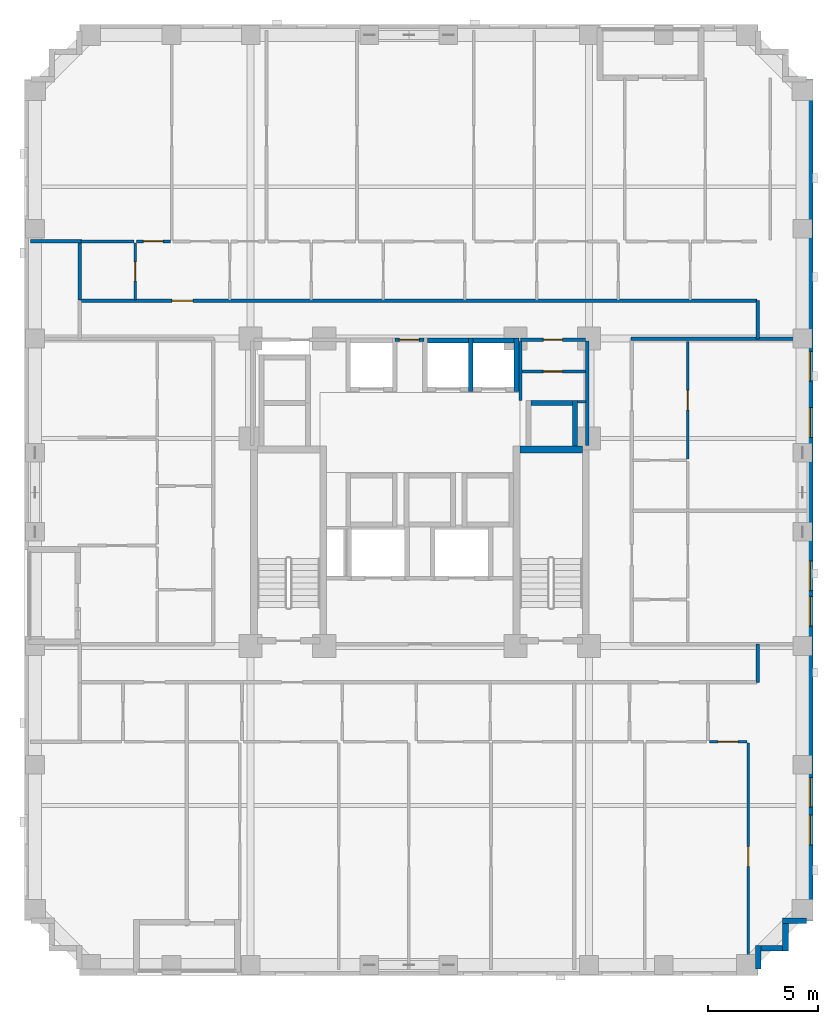
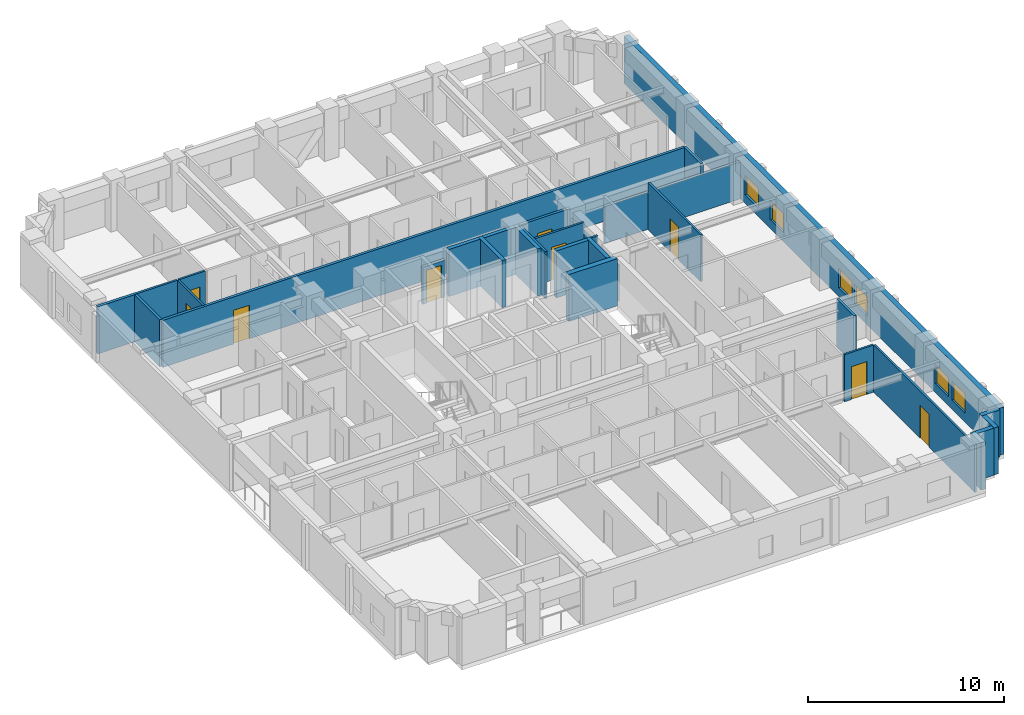
# One storey, part 6 of 12: 30 walls, 9 doors, 6 windows, 15 openings.
"""IFC4 building model written with IfcOpenShell, lengths in metres."""

from ifc_helpers import new_model, si_unit, derived_unit, direction, frame, frame_2d, origin, place, context, subcontext, project, spatial, rectangle, extrude, material, layer, layer_set, type_object, element, fill, save


model = new_model("IFC4")

# Units and contexts
model_context = context("Model", 3, precision=1e-05, world=origin(), true_north=direction((0.0, 1.0)))
body_context = subcontext(model_context, "Body", "Model", "MODEL_VIEW")
ifc_project = project(units=[si_unit("LENGTHUNIT", "METRE"), si_unit("AREAUNIT", "SQUARE_METRE"), si_unit("VOLUMEUNIT", "CUBIC_METRE"), si_unit("PLANEANGLEUNIT", "RADIAN"), si_unit("MASSUNIT", "GRAM", prefix="KILO"), derived_unit("THERMALTRANSMITTANCEUNIT", [(si_unit("MASSUNIT", "GRAM", prefix="KILO"), 1), (si_unit("TIMEUNIT", "SECOND"), -3), (si_unit("THERMODYNAMICTEMPERATUREUNIT", "KELVIN"), -1)])], contexts=[model_context])

# Site, building, storey
site_placement = place(None, origin())
site = spatial("IfcSite", under=ifc_project, at=site_placement, CompositionType="ELEMENT")
building_placement = place(site_placement, origin())
building = spatial("IfcBuilding", under=site, at=building_placement, Name="Korrvale Station Residences", CompositionType="ELEMENT")
storey_placement = place(building_placement, frame((0.0, 0.0, 78.300048828125)))
storey = spatial("IfcBuildingStorey", under=building, at=storey_placement, Name="L21", CompositionType="ELEMENT", Elevation=78.300048828125)

# Walls
ifc_material_1 = material(Name="Concrete C60/75", Category="concrete")
ifc_layer_1 = layer(ifc_material_1, 0.300048828125, Name="Concrete C60/75")
ifc_layer_set_1 = layer_set([ifc_layer_1], Name="Concrete C60/75")
wall_type_1 = type_object("IfcWallType", Name="WAL-CORE-300-C60", PredefinedType="SHEAR", material=ifc_layer_set_1)
wall_1_placement = place(storey_placement, frame((30.050048828125, 23.949951171875, 0.0), z_axis=(0.0, 0.0, 1.0), x_axis=(1.0, 0.0, 0.0)))
element("IfcWall", 1, at=wall_1_placement, inside=storey, type_object=wall_type_1, Name="L21 ST-2 Core Shear Wall North", PredefinedType="SHEAR", context=body_context, shape_type="SweptSolid", body=[
    extrude(rectangle(XDim=2.849853515625, YDim=0.300048828125, at=frame_2d((1.4248046875, 0.0))), origin(), (0.0, 0.0, 1.0), 2.93994140625),
])
ifc_material_2 = material(Name="Precast concrete C45/55", Category="concrete")
ifc_layer_2 = layer(ifc_material_2, 0.260009765625, Name="Precast concrete C45/55")
ifc_layer_set_2 = layer_set([ifc_layer_2], Name="Precast concrete C45/55")
wall_type_2 = type_object("IfcWallType", Name="WAL-EXT-LOG260", PredefinedType="SOLIDWALL", material=ifc_layer_set_2)
wall_2_placement = place(storey_placement, frame((43.097900390625, 2.5, 0.0), z_axis=(0.0, 0.0, 1.0), x_axis=(-1.0, 0.0, 0.0)))
element("IfcWall", 2, at=wall_2_placement, inside=storey, type_object=wall_type_2, Name="L21 Serrated Corner Precast Step SE-1", PredefinedType="SOLIDWALL", context=body_context, shape_type="SweptSolid", body=[
    extrude(rectangle(XDim=1.077880859375, YDim=0.260009765625, at=frame_2d((0.5390625, 0.0))), origin(), (0.0, 0.0, 1.0), 2.93994140625),
])
wall_3_placement = place(storey_placement, frame((42.14990234375, 2.367919921875, 0.0), z_axis=(0.0, 0.0, 1.0), x_axis=(0.0, -1.0, 0.0)))
element("IfcWall", 3, at=wall_3_placement, inside=storey, type_object=wall_type_2, Name="L21 Serrated Corner Precast Step SE-2", PredefinedType="SOLIDWALL", context=body_context, shape_type="SweptSolid", body=[
    extrude(rectangle(XDim=1.247802734375, YDim=0.260009765625, at=frame_2d((0.6240234375, 0.0))), origin(), (0.0, 0.0, 1.0), 2.93994140625),
])
wall_4_placement = place(storey_placement, frame((42.01806640625, 1.25, 0.0), z_axis=(0.0, 0.0, 1.0), x_axis=(-1.0, 0.0, 0.0)))
element("IfcWall", 4, at=wall_4_placement, inside=storey, type_object=wall_type_2, Name="L21 Serrated Corner Precast Step SE-3", PredefinedType="SOLIDWALL", context=body_context, shape_type="SweptSolid", body=[
    extrude(rectangle(XDim=0.986083984375, YDim=0.260009765625, at=frame_2d((0.4931640625, 0.0))), origin(), (0.0, 0.0, 1.0), 2.93994140625),
])
wall_5_placement = place(storey_placement, frame((40.89990234375, 1.3798828125, 0.0), z_axis=(0.0, 0.0, 1.0), x_axis=(0.0, -1.0, 0.0)))
element("IfcWall", 5, at=wall_5_placement, inside=storey, type_object=wall_type_2, Name="L21 Serrated Corner Precast Step SE-4", PredefinedType="SOLIDWALL", context=body_context, shape_type="SweptSolid", body=[
    extrude(rectangle(XDim=1.077880859375, YDim=0.260009765625, at=frame_2d((0.5390625, 0.0))), origin(), (0.0, 0.0, 1.0), 2.93994140625),
])

# Wall, openings, windows
ifc_layer_3 = layer(ifc_material_2, 0.300048828125, Name="Precast concrete C45/55")
ifc_layer_set_3 = layer_set([ifc_layer_3], Name="Precast concrete C45/55")
wall_type_3 = type_object("IfcWallType", Name="WAL-EXT-PC300", PredefinedType="SOLIDWALL", material=ifc_layer_set_3)
wall_6_placement = place(storey_placement, frame((43.25, 40.800048828125, 0.0), z_axis=(0.0, 0.0, 1.0), x_axis=(0.0, -1.0, 0.0)))
wall_6 = element("IfcWall", 6, at=wall_6_placement, inside=storey, type_object=wall_type_3, Name="L21 East Exterior Precast Wall 1", PredefinedType="SOLIDWALL", context=body_context, shape_type="SweptSolid", body=[
    extrude(rectangle(XDim=38.300048828125, YDim=0.300048828125, at=frame_2d((19.14990234375, 0.0))), origin(), (0.0, 0.0, 1.0), 2.93994140625),
])
opening_1_placement = place(wall_6_placement, frame((33.4951171875, 0.0, 0.550048828125)))
opening_1 = element("IfcOpeningElement", 7, at=opening_1_placement, cuts=wall_6, Name="Opening W-10", PredefinedType="OPENING", context=body_context, shape_type="SweptSolid", body=[
    extrude(rectangle(XDim=1.35009765625, YDim=1.199951171875, at=frame_2d((0.675048828125, 0.60009765625))), frame((0.0, 0.16015625, 0.0), z_axis=(0.0, -1.0, 0.0), x_axis=(1.0, 0.0, 0.0)), (0.0, 0.0, 1.0), 0.320068359375),
])
opening_2_placement = place(wall_6_placement, frame((31.784912109375, 0.0, 0.550048828125)))
opening_2 = element("IfcOpeningElement", 8, at=opening_2_placement, cuts=wall_6, Name="Opening W-10", PredefinedType="OPENING", context=body_context, shape_type="SweptSolid", body=[
    extrude(rectangle(XDim=1.35009765625, YDim=1.199951171875, at=frame_2d((0.675048828125, 0.60009765625))), frame((0.0, 0.16015625, 0.0), z_axis=(0.0, -1.0, 0.0), x_axis=(1.0, 0.0, 0.0)), (0.0, 0.0, 1.0), 0.320068359375),
])
opening_3_placement = place(wall_6_placement, frame((21.929931640625, 0.0, 0.550048828125)))
opening_3 = element("IfcOpeningElement", 9, at=opening_3_placement, cuts=wall_6, Name="Opening W-10", PredefinedType="OPENING", context=body_context, shape_type="SweptSolid", body=[
    extrude(rectangle(XDim=1.35009765625, YDim=1.199951171875, at=frame_2d((0.675048828125, 0.60009765625))), frame((0.0, 0.16015625, 0.0), z_axis=(0.0, -1.0, 0.0), x_axis=(1.0, 0.0, 0.0)), (0.0, 0.0, 1.0), 0.320068359375),
])
opening_4_placement = place(wall_6_placement, frame((23.5400390625, 0.0, 0.550048828125)))
opening_4 = element("IfcOpeningElement", 10, at=opening_4_placement, cuts=wall_6, Name="Opening W-10", PredefinedType="OPENING", context=body_context, shape_type="SweptSolid", body=[
    extrude(rectangle(XDim=1.35009765625, YDim=1.199951171875, at=frame_2d((0.675048828125, 0.60009765625))), frame((0.0, 0.16015625, 0.0), z_axis=(0.0, -1.0, 0.0), x_axis=(1.0, 0.0, 0.0)), (0.0, 0.0, 1.0), 0.320068359375),
])
opening_5_placement = place(wall_6_placement, frame((14.949951171875, 0.0, 0.550048828125)))
opening_5 = element("IfcOpeningElement", 11, at=opening_5_placement, cuts=wall_6, Name="Opening W-10", PredefinedType="OPENING", context=body_context, shape_type="SweptSolid", body=[
    extrude(rectangle(XDim=1.35009765625, YDim=1.199951171875, at=frame_2d((0.675048828125, 0.60009765625))), frame((0.0, 0.16015625, 0.0), z_axis=(0.0, -1.0, 0.0), x_axis=(1.0, 0.0, 0.0)), (0.0, 0.0, 1.0), 0.320068359375),
])
opening_6_placement = place(wall_6_placement, frame((12.385009765625, 0.0, 0.550048828125)))
opening_6 = element("IfcOpeningElement", 12, at=opening_6_placement, cuts=wall_6, Name="Opening W-10", PredefinedType="OPENING", context=body_context, shape_type="SweptSolid", body=[
    extrude(rectangle(XDim=1.35009765625, YDim=1.199951171875, at=frame_2d((0.675048828125, 0.60009765625))), frame((0.0, 0.16015625, 0.0), z_axis=(0.0, -1.0, 0.0), x_axis=(1.0, 0.0, 0.0)), (0.0, 0.0, 1.0), 0.320068359375),
])
ifc_material_3 = material(Name="Thermally broken aluminium frame with triple low-e glazing", Category="aluminium")
window_type = type_object("IfcWindowType", Name="WIN-W10", PartitioningType="SINGLE_PANEL", PredefinedType="WINDOW", material=ifc_material_3)
window_1_placement = place(opening_1_placement, origin())
window_1 = element("IfcWindow", 13, at=window_1_placement, inside=storey, type_object=window_type, Name="L21 Punched Window 08", OverallHeight=1.199951171875, OverallWidth=1.35009765625, PartitioningType="SINGLE_PANEL", PredefinedType="WINDOW", context=body_context, shape_type="SweptSolid", body=[
    extrude(rectangle(XDim=1.35009765625, YDim=1.199951171875, at=frame_2d((0.675048828125, 0.60009765625))), frame((0.0, 0.030029296875, 0.0), z_axis=(0.0, -1.0, 0.0), x_axis=(1.0, 0.0, 0.0)), (0.0, 0.0, 1.0), 0.06005859375),
])
fill(opening_1, window_1)
window_2_placement = place(opening_2_placement, origin())
window_2 = element("IfcWindow", 14, at=window_2_placement, inside=storey, type_object=window_type, Name="L21 Punched Window 09", OverallHeight=1.199951171875, OverallWidth=1.35009765625, PartitioningType="SINGLE_PANEL", PredefinedType="WINDOW", context=body_context, shape_type="SweptSolid", body=[
    extrude(rectangle(XDim=1.35009765625, YDim=1.199951171875, at=frame_2d((0.675048828125, 0.60009765625))), frame((0.0, 0.030029296875, 0.0), z_axis=(0.0, -1.0, 0.0), x_axis=(1.0, 0.0, 0.0)), (0.0, 0.0, 1.0), 0.06005859375),
])
fill(opening_2, window_2)
window_3_placement = place(opening_3_placement, origin())
window_3 = element("IfcWindow", 15, at=window_3_placement, inside=storey, type_object=window_type, Name="L21 Punched Window 19", OverallHeight=1.199951171875, OverallWidth=1.35009765625, PartitioningType="SINGLE_PANEL", PredefinedType="WINDOW", context=body_context, shape_type="SweptSolid", body=[
    extrude(rectangle(XDim=1.35009765625, YDim=1.199951171875, at=frame_2d((0.675048828125, 0.60009765625))), frame((0.0, 0.030029296875, 0.0), z_axis=(0.0, -1.0, 0.0), x_axis=(1.0, 0.0, 0.0)), (0.0, 0.0, 1.0), 0.06005859375),
])
fill(opening_3, window_3)
window_4_placement = place(opening_4_placement, origin())
window_4 = element("IfcWindow", 16, at=window_4_placement, inside=storey, type_object=window_type, Name="L21 Punched Window 20", OverallHeight=1.199951171875, OverallWidth=1.35009765625, PartitioningType="SINGLE_PANEL", PredefinedType="WINDOW", context=body_context, shape_type="SweptSolid", body=[
    extrude(rectangle(XDim=1.35009765625, YDim=1.199951171875, at=frame_2d((0.675048828125, 0.60009765625))), frame((0.0, 0.030029296875, 0.0), z_axis=(0.0, -1.0, 0.0), x_axis=(1.0, 0.0, 0.0)), (0.0, 0.0, 1.0), 0.06005859375),
])
fill(opening_4, window_4)
window_5_placement = place(opening_5_placement, origin())
window_5 = element("IfcWindow", 17, at=window_5_placement, inside=storey, type_object=window_type, Name="L21 Punched Window 21", OverallHeight=1.199951171875, OverallWidth=1.35009765625, PartitioningType="SINGLE_PANEL", PredefinedType="WINDOW", context=body_context, shape_type="SweptSolid", body=[
    extrude(rectangle(XDim=1.35009765625, YDim=1.199951171875, at=frame_2d((0.675048828125, 0.60009765625))), frame((0.0, 0.030029296875, 0.0), z_axis=(0.0, -1.0, 0.0), x_axis=(1.0, 0.0, 0.0)), (0.0, 0.0, 1.0), 0.06005859375),
])
fill(opening_5, window_5)
window_6_placement = place(opening_6_placement, origin())
window_6 = element("IfcWindow", 18, at=window_6_placement, inside=storey, type_object=window_type, Name="L21 Punched Window 22", OverallHeight=1.199951171875, OverallWidth=1.35009765625, PartitioningType="SINGLE_PANEL", PredefinedType="WINDOW", context=body_context, shape_type="SweptSolid", body=[
    extrude(rectangle(XDim=1.35009765625, YDim=1.199951171875, at=frame_2d((0.675048828125, 0.60009765625))), frame((0.0, 0.030029296875, 0.0), z_axis=(0.0, -1.0, 0.0), x_axis=(1.0, 0.0, 0.0)), (0.0, 0.0, 1.0), 0.06005859375),
])
fill(opening_6, window_6)

# Walls
ifc_material_4 = material(Name="Acoustic steel-stud gypsum board partition", Category="steel")
ifc_layer_4 = layer(ifc_material_4, 0.1201171875, Name="Acoustic steel-stud gypsum board partition")
ifc_layer_set_4 = layer_set([ifc_layer_4], Name="Acoustic steel-stud gypsum board partition")
wall_type_4 = type_object("IfcWallType", Name="WAL-PART-125", PredefinedType="PARTITIONING", material=ifc_layer_set_4)
wall_7_placement = place(storey_placement, frame((30.080078125, 26.179931640625, 0.0), z_axis=(0.0, 0.0, 1.0), x_axis=(0.0, 1.0, 0.0)))
element("IfcWall", 19, at=wall_7_placement, inside=storey, type_object=wall_type_4, Name="L21 Core Partition CW-CS-W", PredefinedType="PARTITIONING", context=body_context, shape_type="SweptSolid", body=[
    extrude(rectangle(XDim=2.68017578125, YDim=0.1201171875, at=frame_2d((1.340087890625, 0.0))), origin(), (0.0, 0.0, 1.0), 2.93994140625),
])
wall_8_placement = place(storey_placement, frame((32.679931640625, 26.1201171875, 0.0), z_axis=(0.0, 0.0, 1.0), x_axis=(1.0, 0.0, 0.0)))
element("IfcWall", 20, at=wall_8_placement, inside=storey, type_object=wall_type_4, Name="L21 Core Partition CW-CS-S", PredefinedType="PARTITIONING", context=body_context, shape_type="SweptSolid", body=[
    extrude(rectangle(XDim=0.380126953125, YDim=0.1201171875, at=frame_2d((0.18994140625, 0.0))), origin(), (0.0, 0.0, 1.0), 2.93994140625),
])

# Wall, opening, door
wall_9_placement = place(storey_placement, frame((30.159912109375, 27.5, 0.0), z_axis=(0.0, 0.0, 1.0), x_axis=(1.0, 0.0, 0.0)))
wall_9 = element("IfcWall", 21, at=wall_9_placement, inside=storey, type_object=wall_type_4, Name="L21 Core Partition CW-CS-H", PredefinedType="PARTITIONING", context=body_context, shape_type="SweptSolid", body=[
    extrude(rectangle(XDim=2.880126953125, YDim=0.1201171875, at=frame_2d((1.43994140625, 0.0))), origin(), (0.0, 0.0, 1.0), 2.93994140625),
])
opening_7_placement = place(wall_9_placement, frame((0.969970703125, 0.0, 0.0)))
opening_7 = element("IfcOpeningElement", 22, at=opening_7_placement, cuts=wall_9, Name="Opening DB-860", PredefinedType="OPENING", context=body_context, shape_type="SweptSolid", body=[
    extrude(rectangle(XDim=0.860107421875, YDim=2.050048828125, at=frame_2d((0.43017578125, 1.02490234375))), frame((0.0, 0.070068359375, 0.0), z_axis=(0.0, -1.0, 0.0), x_axis=(1.0, 0.0, 0.0)), (0.0, 0.0, 1.0), 0.14013671875),
])
ifc_material_5 = material(Name="Moisture-resistant solid-core bathroom door", Category="timber")
door_type_1 = type_object("IfcDoorType", Name="DR-BATH-860", OperationType="NOTDEFINED", PredefinedType="DOOR", material=ifc_material_5)
door_1_placement = place(opening_7_placement, origin())
door_1 = element("IfcDoor", 23, at=door_1_placement, inside=storey, type_object=door_type_1, Name="L21 Mail Sorting Inner Door", OperationType="SINGLE_SWING_LEFT", OverallHeight=2.050048828125, OverallWidth=0.860107421875, PredefinedType="DOOR", context=body_context, shape_type="SweptSolid", body=[
    extrude(rectangle(XDim=0.860107421875, YDim=2.050048828125, at=frame_2d((0.43017578125, 1.02490234375))), frame((0.0, 0.02490234375, 0.0), z_axis=(0.0, -1.0, 0.0), x_axis=(1.0, 0.0, 0.0)), (0.0, 0.0, 1.0), 0.050048828125),
])
fill(opening_7, door_1)

wall_10_placement = place(storey_placement, frame((38.676025390625, 10.64990234375, 0.0), z_axis=(0.0, 0.0, 1.0), x_axis=(1.0, 0.0, 0.0)))
wall_10 = element("IfcWall", 24, at=wall_10_placement, inside=storey, type_object=wall_type_4, Name="L21 Suite Partition U03-H24", PredefinedType="PARTITIONING", context=body_context, shape_type="SweptSolid", body=[
    extrude(rectangle(XDim=1.7138671875, YDim=0.1201171875, at=frame_2d((0.85693359375, 0.0))), origin(), (0.0, 0.0, 1.0), 2.93994140625),
])
opening_8_placement = place(wall_10_placement, frame((0.406982421875, 0.0, 0.0)))
opening_8 = element("IfcOpeningElement", 25, at=opening_8_placement, cuts=wall_10, Name="Opening DI-900", PredefinedType="OPENING", context=body_context, shape_type="SweptSolid", body=[
    extrude(rectangle(XDim=0.89990234375, YDim=2.050048828125, at=frame_2d((0.449951171875, 1.02490234375))), frame((0.0, 0.070068359375, 0.0), z_axis=(0.0, -1.0, 0.0), x_axis=(1.0, 0.0, 0.0)), (0.0, 0.0, 1.0), 0.14013671875),
])
ifc_material_6 = material(Name="Painted solid-core timber interior room door", Category="wood")
door_type_2 = type_object("IfcDoorType", Name="DR-INT-900", OperationType="NOTDEFINED", PredefinedType="DOOR", material=ifc_material_6)
door_2_placement = place(opening_8_placement, origin())
door_2 = element("IfcDoor", 26, at=door_2_placement, inside=storey, type_object=door_type_2, Name="L21 Studio Apartment L21-U03 Utility and Laundry Room Door", OperationType="SINGLE_SWING_RIGHT", OverallHeight=2.050048828125, OverallWidth=0.89990234375, PredefinedType="DOOR", context=body_context, shape_type="SweptSolid", body=[
    extrude(rectangle(XDim=0.89990234375, YDim=2.050048828125, at=frame_2d((0.449951171875, 1.02490234375))), frame((0.0, 0.02490234375, 0.0), z_axis=(0.0, -1.0, 0.0), x_axis=(1.0, 0.0, 0.0)), (0.0, 0.0, 1.0), 0.050048828125),
])
fill(opening_8, door_2)

wall_11_placement = place(storey_placement, frame((40.449951171875, 0.280029296875, 0.0), z_axis=(0.0, 0.0, 1.0), x_axis=(0.0, 1.0, 0.0)))
wall_11 = element("IfcWall", 27, at=wall_11_placement, inside=storey, type_object=wall_type_4, Name="L21 Suite Partition U03-V45", PredefinedType="PARTITIONING", context=body_context, shape_type="SweptSolid", body=[
    extrude(rectangle(XDim=10.31005859375, YDim=0.1201171875, at=frame_2d((5.155029296875, 0.0))), origin(), (0.0, 0.0, 1.0), 2.93994140625),
])
opening_9_placement = place(wall_11_placement, frame((4.68994140625, 0.0, 0.0)))
opening_9 = element("IfcOpeningElement", 28, at=opening_9_placement, cuts=wall_11, Name="Opening DI-900", PredefinedType="OPENING", context=body_context, shape_type="SweptSolid", body=[
    extrude(rectangle(XDim=0.89990234375, YDim=2.050048828125, at=frame_2d((0.449951171875, 1.02490234375))), frame((0.0, 0.070068359375, 0.0), z_axis=(0.0, -1.0, 0.0), x_axis=(1.0, 0.0, 0.0)), (0.0, 0.0, 1.0), 0.14013671875),
])
door_3_placement = place(opening_9_placement, origin())
door_3 = element("IfcDoor", 29, at=door_3_placement, inside=storey, type_object=door_type_2, Name="L21 Studio Apartment L21-U03 Studio Living Room Door", OperationType="SINGLE_SWING_RIGHT", OverallHeight=2.050048828125, OverallWidth=0.89990234375, PredefinedType="DOOR", context=body_context, shape_type="SweptSolid", body=[
    extrude(rectangle(XDim=0.89990234375, YDim=2.050048828125, at=frame_2d((0.449951171875, 1.02490234375))), frame((0.0, 0.02490234375, 0.0), z_axis=(0.0, -1.0, 0.0), x_axis=(1.0, 0.0, 0.0)), (0.0, 0.0, 1.0), 0.050048828125),
])
fill(opening_9, door_3)

wall_12_placement = place(storey_placement, frame((12.5400390625, 30.760009765625, 0.0), z_axis=(0.0, 0.0, 1.0), x_axis=(0.0, 1.0, 0.0)))
wall_12 = element("IfcWall", 30, at=wall_12_placement, inside=storey, type_object=wall_type_4, Name="L21 Suite Partition U04-V01", PredefinedType="PARTITIONING", context=body_context, shape_type="SweptSolid", body=[
    extrude(rectangle(XDim=2.60009765625, YDim=0.1201171875, at=frame_2d((1.300048828125, 0.0))), origin(), (0.0, 0.0, 1.0), 2.93994140625),
])
opening_10_placement = place(wall_12_placement, frame((0.8701171875, 0.0, 0.0)))
opening_10 = element("IfcOpeningElement", 31, at=opening_10_placement, cuts=wall_12, Name="Opening DB-860", PredefinedType="OPENING", context=body_context, shape_type="SweptSolid", body=[
    extrude(rectangle(XDim=0.860107421875, YDim=2.050048828125, at=frame_2d((0.43017578125, 1.02490234375))), frame((0.0, 0.070068359375, 0.0), z_axis=(0.0, -1.0, 0.0), x_axis=(1.0, 0.0, 0.0)), (0.0, 0.0, 1.0), 0.14013671875),
])
door_4_placement = place(opening_10_placement, origin())
door_4 = element("IfcDoor", 32, at=door_4_placement, inside=storey, type_object=door_type_1, Name="L21 Apartment 3BR L21-U04 Bathroom Door", OperationType="SINGLE_SWING_LEFT", OverallHeight=2.050048828125, OverallWidth=0.860107421875, PredefinedType="DOOR", context=body_context, shape_type="SweptSolid", body=[
    extrude(rectangle(XDim=0.860107421875, YDim=2.050048828125, at=frame_2d((0.43017578125, 1.02490234375))), frame((0.0, 0.02490234375, 0.0), z_axis=(0.0, -1.0, 0.0), x_axis=(1.0, 0.0, 0.0)), (0.0, 0.0, 1.0), 0.050048828125),
])
fill(opening_10, door_4)

# Wall
wall_13_placement = place(storey_placement, frame((10.080078125, 33.419921875, 0.0), z_axis=(0.0, 0.0, 1.0), x_axis=(1.0, 0.0, 0.0)))
element("IfcWall", 33, at=wall_13_placement, inside=storey, type_object=wall_type_4, Name="L21 Suite Partition U04-H09", PredefinedType="PARTITIONING", context=body_context, shape_type="SweptSolid", body=[
    extrude(rectangle(XDim=2.39990234375, YDim=0.1201171875, at=frame_2d((1.199951171875, 0.0))), origin(), (0.0, 0.0, 1.0), 2.93994140625),
])

# Wall, opening, door
wall_14_placement = place(storey_placement, frame((12.60009765625, 33.419921875, 0.0), z_axis=(0.0, 0.0, 1.0), x_axis=(1.0, 0.0, 0.0)))
wall_14 = element("IfcWall", 34, at=wall_14_placement, inside=storey, type_object=wall_type_4, Name="L21 Suite Partition U04-H19", PredefinedType="PARTITIONING", context=body_context, shape_type="SweptSolid", body=[
    extrude(rectangle(XDim=1.539794921875, YDim=0.1201171875, at=frame_2d((0.77001953125, 0.0))), origin(), (0.0, 0.0, 1.0), 2.93994140625),
])
opening_11_placement = place(wall_14_placement, frame((0.320068359375, 0.0, 0.0)))
opening_11 = element("IfcOpeningElement", 35, at=opening_11_placement, cuts=wall_14, Name="Opening DI-900", PredefinedType="OPENING", context=body_context, shape_type="SweptSolid", body=[
    extrude(rectangle(XDim=0.89990234375, YDim=2.050048828125, at=frame_2d((0.449951171875, 1.02490234375))), frame((0.0, 0.070068359375, 0.0), z_axis=(0.0, -1.0, 0.0), x_axis=(1.0, 0.0, 0.0)), (0.0, 0.0, 1.0), 0.14013671875),
])
door_5_placement = place(opening_11_placement, origin())
door_5 = element("IfcDoor", 36, at=door_5_placement, inside=storey, type_object=door_type_2, Name="L21 Apartment 3BR L21-U04 Kitchen Door", OperationType="SINGLE_SWING_LEFT", OverallHeight=2.050048828125, OverallWidth=0.89990234375, PredefinedType="DOOR", context=body_context, shape_type="SweptSolid", body=[
    extrude(rectangle(XDim=0.89990234375, YDim=2.050048828125, at=frame_2d((0.449951171875, 1.02490234375))), frame((0.0, 0.02490234375, 0.0), z_axis=(0.0, -1.0, 0.0), x_axis=(1.0, 0.0, 0.0)), (0.0, 0.0, 1.0), 0.050048828125),
])
fill(opening_11, door_5)

wall_15_placement = place(storey_placement, frame((37.699951171875, 23.527099609375, 0.0), z_axis=(0.0, 0.0, 1.0), x_axis=(0.0, 1.0, 0.0)))
wall_15 = element("IfcWall", 37, at=wall_15_placement, inside=storey, type_object=wall_type_4, Name="L21 Suite Partition U07-V12", PredefinedType="PARTITIONING", context=body_context, shape_type="SweptSolid", body=[
    extrude(rectangle(XDim=5.3330078125, YDim=0.1201171875, at=frame_2d((2.66650390625, 0.0))), origin(), (0.0, 0.0, 1.0), 2.93994140625),
])
opening_12_placement = place(wall_15_placement, frame((2.216064453125, 0.0, 0.0)))
opening_12 = element("IfcOpeningElement", 38, at=opening_12_placement, cuts=wall_15, Name="Opening DI-900", PredefinedType="OPENING", context=body_context, shape_type="SweptSolid", body=[
    extrude(rectangle(XDim=0.89990234375, YDim=2.050048828125, at=frame_2d((0.449951171875, 1.02490234375))), frame((0.0, 0.070068359375, 0.0), z_axis=(0.0, -1.0, 0.0), x_axis=(1.0, 0.0, 0.0)), (0.0, 0.0, 1.0), 0.14013671875),
])
door_6_placement = place(opening_12_placement, origin())
door_6 = element("IfcDoor", 39, at=door_6_placement, inside=storey, type_object=door_type_2, Name="L21 Studio Apartment L21-U07 Kitchen Door", OperationType="SINGLE_SWING_RIGHT", OverallHeight=2.050048828125, OverallWidth=0.89990234375, PredefinedType="DOOR", context=body_context, shape_type="SweptSolid", body=[
    extrude(rectangle(XDim=0.89990234375, YDim=2.050048828125, at=frame_2d((0.449951171875, 1.02490234375))), frame((0.0, 0.02490234375, 0.0), z_axis=(0.0, -1.0, 0.0), x_axis=(1.0, 0.0, 0.0)), (0.0, 0.0, 1.0), 0.050048828125),
])
fill(opening_12, door_6)

# Wall
ifc_material_7 = material(Name="Fire-rated twin-stud gypsum and mineral wool shaftwall assembly", Category="gypsum")
ifc_layer_5 = layer(ifc_material_7, 0.159912109375, Name="Fire-rated twin-stud gypsum and mineral wool shaftwall assembly")
ifc_layer_set_5 = layer_set([ifc_layer_5], Name="Fire-rated twin-stud gypsum and mineral wool shaftwall assembly")
wall_type_5 = type_object("IfcWallType", Name="WAL-PART-200", PredefinedType="PARTITIONING", material=ifc_layer_set_5)
wall_16_placement = place(storey_placement, frame((33.1201171875, 24.1201171875, 0.0), z_axis=(0.0, 0.0, 1.0), x_axis=(0.0, 1.0, 0.0)))
element("IfcWall", 40, at=wall_16_placement, inside=storey, type_object=wall_type_5, Name="L21 Core Partition CW-E-N", PredefinedType="PARTITIONING", context=body_context, shape_type="SweptSolid", body=[
    extrude(rectangle(XDim=4.759765625, YDim=0.159912109375, at=frame_2d((2.3798828125, 0.0))), origin(), (0.0, 0.0, 1.0), 2.27490234375),
])

# Wall, opening, door
wall_17_placement = place(storey_placement, frame((24.360107421875, 28.949951171875, 0.0), z_axis=(0.0, 0.0, 1.0), x_axis=(1.0, 0.0, 0.0)))
wall_17 = element("IfcWall", 41, at=wall_17_placement, inside=storey, type_object=wall_type_5, Name="L21 Core Partition CW-LLOB-N", PredefinedType="PARTITIONING", context=body_context, shape_type="SweptSolid", body=[
    extrude(rectangle(XDim=1.31982421875, YDim=0.159912109375, at=frame_2d((0.659912109375, 0.0))), origin(), (0.0, 0.0, 1.0), 2.308837890625),
])
opening_13_placement = place(wall_17_placement, frame((0.2099609375, 0.0, 0.0)))
opening_13 = element("IfcOpeningElement", 42, at=opening_13_placement, cuts=wall_17, Name="Opening DI-900", PredefinedType="OPENING", context=body_context, shape_type="SweptSolid", body=[
    extrude(rectangle(XDim=0.89990234375, YDim=2.050048828125, at=frame_2d((0.449951171875, 1.02490234375))), frame((0.0, 0.08984375, 0.0), z_axis=(0.0, -1.0, 0.0), x_axis=(1.0, 0.0, 0.0)), (0.0, 0.0, 1.0), 0.179931640625),
])
door_7_placement = place(opening_13_placement, origin())
door_7 = element("IfcDoor", 43, at=door_7_placement, inside=storey, type_object=door_type_2, Name="L21 Central Hallway North Passage Door", OperationType="SINGLE_SWING_LEFT", OverallHeight=2.050048828125, OverallWidth=0.89990234375, PredefinedType="DOOR", context=body_context, shape_type="SweptSolid", body=[
    extrude(rectangle(XDim=0.89990234375, YDim=2.050048828125, at=frame_2d((0.449951171875, 1.02490234375))), frame((0.0, 0.02490234375, 0.0), z_axis=(0.0, -1.0, 0.0), x_axis=(1.0, 0.0, 0.0)), (0.0, 0.0, 1.0), 0.050048828125),
])
fill(opening_13, door_7)

wall_18_placement = place(storey_placement, frame((30.080078125, 28.949951171875, 0.0), z_axis=(0.0, 0.0, 1.0), x_axis=(1.0, 0.0, 0.0)))
wall_18 = element("IfcWall", 44, at=wall_18_placement, inside=storey, type_object=wall_type_5, Name="L21 Core Partition CW-CS-N", PredefinedType="PARTITIONING", context=body_context, shape_type="SweptSolid", body=[
    extrude(rectangle(XDim=2.9599609375, YDim=0.159912109375, at=frame_2d((1.47998046875, 0.0))), origin(), (0.0, 0.0, 1.0), 2.93994140625),
])
opening_14_placement = place(wall_18_placement, frame((1.044921875, 0.0, 0.0)))
opening_14 = element("IfcOpeningElement", 45, at=opening_14_placement, cuts=wall_18, Name="Opening DB-860", PredefinedType="OPENING", context=body_context, shape_type="SweptSolid", body=[
    extrude(rectangle(XDim=0.860107421875, YDim=2.050048828125, at=frame_2d((0.43017578125, 1.02490234375))), frame((0.0, 0.08984375, 0.0), z_axis=(0.0, -1.0, 0.0), x_axis=(1.0, 0.0, 0.0)), (0.0, 0.0, 1.0), 0.179931640625),
])
door_8_placement = place(opening_14_placement, origin())
door_8 = element("IfcDoor", 46, at=door_8_placement, inside=storey, type_object=door_type_1, Name="L21 Housekeeping Pantry Door", OperationType="SINGLE_SWING_RIGHT", OverallHeight=2.050048828125, OverallWidth=0.860107421875, PredefinedType="DOOR", context=body_context, shape_type="SweptSolid", body=[
    extrude(rectangle(XDim=0.860107421875, YDim=2.050048828125, at=frame_2d((0.43017578125, 1.02490234375))), frame((0.0, 0.02490234375, 0.0), z_axis=(0.0, -1.0, 0.0), x_axis=(1.0, 0.0, 0.0)), (0.0, 0.0, 1.0), 0.050048828125),
])
fill(opening_14, door_8)

# Walls
for number, where, z_axis, x_axis, name in (
    (47, (40.8798828125, 13.35009765625, 0.0), (0.0, 0.0, 1.0), (0.0, 1.0, 0.0), "L21 Corridor South East Cap"),
    (48, (40.8798828125, 28.97998046875, 0.0), (0.0, 0.0, 1.0), (0.0, 1.0, 0.0), "L21 Corridor North East Cap"),
):
    element("IfcWall", number, at=place(storey_placement, frame(where, z_axis=z_axis, x_axis=x_axis)), inside=storey, type_object=wall_type_5, Name=name, PredefinedType="PARTITIONING", context=body_context, shape_type="SweptSolid", body=[
        extrude(rectangle(XDim=1.739990234375, YDim=0.159912109375, at=frame_2d((0.8701171875, 0.0))), origin(), (0.0, 0.0, 1.0), 2.93994140625),
    ])
wall_19_placement = place(storey_placement, frame((35.110107421875, 28.97998046875, 0.0), z_axis=(0.0, 0.0, 1.0), x_axis=(1.0, 0.0, 0.0)))
element("IfcWall", 49, at=wall_19_placement, inside=storey, type_object=wall_type_5, Name="L21 East Wing North Corridor Wall", PredefinedType="PARTITIONING", context=body_context, shape_type="SweptSolid", body=[
    extrude(rectangle(XDim=8.010009765625, YDim=0.159912109375, at=frame_2d((4.0048828125, 0.0))), origin(), (0.0, 0.0, 1.0), 2.308837890625),
])
wall_20_placement = place(storey_placement, frame((7.780029296875, 33.419921875, 0.0), z_axis=(0.0, 0.0, 1.0), x_axis=(1.0, 0.0, 0.0)))
element("IfcWall", 50, at=wall_20_placement, inside=storey, type_object=wall_type_5, Name="L21 Corner Step Wall U04-L", PredefinedType="PARTITIONING", context=body_context, shape_type="SweptSolid", body=[
    extrude(rectangle(XDim=2.340087890625, YDim=0.159912109375, at=frame_2d((1.169921875, 0.0))), origin(), (0.0, 0.0, 1.0), 2.93994140625),
])
wall_21_placement = place(storey_placement, frame((10.02001953125, 30.760009765625, 0.0), z_axis=(0.0, 0.0, 1.0), x_axis=(0.0, 1.0, 0.0)))
element("IfcWall", 51, at=wall_21_placement, inside=storey, type_object=wall_type_5, Name="L21 Corner Step Cheek U04-L", PredefinedType="PARTITIONING", context=body_context, shape_type="SweptSolid", body=[
    extrude(rectangle(XDim=2.659912109375, YDim=0.159912109375, at=frame_2d((1.330078125, 0.0))), origin(), (0.0, 0.0, 1.0), 2.93994140625),
])

# Wall, opening, door
wall_22_placement = place(storey_placement, frame((10.050048828125, 30.719970703125, 0.0), z_axis=(0.0, 0.0, 1.0), x_axis=(1.0, 0.0, 0.0)))
wall_22 = element("IfcWall", 52, at=wall_22_placement, inside=storey, type_object=wall_type_5, Name="L21 Rated Corridor Wall N", PredefinedType="PARTITIONING", context=body_context, shape_type="SweptSolid", body=[
    extrude(rectangle(XDim=30.800048828125, YDim=0.159912109375, at=frame_2d((15.39990234375, 0.0))), origin(), (0.0, 0.0, 1.0), 2.93994140625),
])
opening_15_placement = place(wall_22_placement, frame((4.1650390625, 0.0, 0.0)))
opening_15 = element("IfcOpeningElement", 53, at=opening_15_placement, cuts=wall_22, Name="Opening UD-950", PredefinedType="OPENING", context=body_context, shape_type="SweptSolid", body=[
    extrude(rectangle(XDim=0.949951171875, YDim=2.10009765625, at=frame_2d((0.47509765625, 1.050048828125))), frame((0.0, 0.08984375, 0.0), z_axis=(0.0, -1.0, 0.0), x_axis=(1.0, 0.0, 0.0)), (0.0, 0.0, 1.0), 0.179931640625),
])
ifc_material_8 = material(Name="Solid-core acoustic oak apartment entrance door", Category="timber")
door_type_3 = type_object("IfcDoorType", Name="DR-UNIT-950", OperationType="NOTDEFINED", PredefinedType="DOOR", material=ifc_material_8)
door_9_placement = place(opening_15_placement, origin())
door_9 = element("IfcDoor", 54, at=door_9_placement, inside=storey, type_object=door_type_3, Name="L21 Apartment L21-U04 Entrance Door", OperationType="SINGLE_SWING_RIGHT", OverallHeight=2.10009765625, OverallWidth=0.949951171875, PredefinedType="DOOR", context=body_context, shape_type="SweptSolid", body=[
    extrude(rectangle(XDim=0.949951171875, YDim=2.10009765625, at=frame_2d((0.47509765625, 1.050048828125))), frame((0.0, 0.02490234375, 0.0), z_axis=(0.0, -1.0, 0.0), x_axis=(1.0, 0.0, 0.0)), (0.0, 0.0, 1.0), 0.050048828125),
])
fill(opening_15, door_9)

# Walls
ifc_layer_6 = layer(ifc_material_1, 0.219970703125, Name="Concrete C60/75")
ifc_layer_set_6 = layer_set([ifc_layer_6], Name="Concrete C60/75")
wall_type_6 = type_object("IfcWallType", Name="WAL-SHAFT-220-C60", PredefinedType="SHEAR", material=ifc_layer_set_6)
wall_23_placement = place(storey_placement, frame((25.85009765625, 28.909912109375, 0.0), z_axis=(0.0, 0.0, 1.0), x_axis=(1.0, 0.0, 0.0)))
element("IfcWall", 55, at=wall_23_placement, inside=storey, type_object=wall_type_6, Name="L21 Elevator PL-2 Hoistway Wall North", PredefinedType="SHEAR", context=body_context, shape_type="SweptSolid", body=[
    extrude(rectangle(XDim=1.85986328125, YDim=0.219970703125, at=frame_2d((0.929931640625, 0.0))), origin(), (0.0, 0.0, 1.0), 2.93994140625),
])
wall_24_placement = place(storey_placement, frame((27.820068359375, 26.580078125, 0.0), z_axis=(0.0, 0.0, 1.0), x_axis=(0.0, 1.0, 0.0)))
element("IfcWall", 56, at=wall_24_placement, inside=storey, type_object=wall_type_6, Name="L21 Elevator PL-2 Hoistway Wall East", PredefinedType="SHEAR", context=body_context, shape_type="SweptSolid", body=[
    extrude(rectangle(XDim=2.43994140625, YDim=0.219970703125, at=frame_2d((1.219970703125, 0.0))), origin(), (0.0, 0.0, 1.0), 2.93994140625),
])
wall_25_placement = place(storey_placement, frame((27.929931640625, 28.909912109375, 0.0), z_axis=(0.0, 0.0, 1.0), x_axis=(1.0, 0.0, 0.0)))
element("IfcWall", 57, at=wall_25_placement, inside=storey, type_object=wall_type_6, Name="L21 Elevator PL-3 Hoistway Wall North", PredefinedType="SHEAR", context=body_context, shape_type="SweptSolid", body=[
    extrude(rectangle(XDim=1.860107421875, YDim=0.219970703125, at=frame_2d((0.93017578125, 0.0))), origin(), (0.0, 0.0, 1.0), 2.93994140625),
])
wall_26_placement = place(storey_placement, frame((29.89990234375, 26.580078125, 0.0), z_axis=(0.0, 0.0, 1.0), x_axis=(0.0, 1.0, 0.0)))
element("IfcWall", 58, at=wall_26_placement, inside=storey, type_object=wall_type_6, Name="L21 Elevator PL-3 Hoistway Wall East", PredefinedType="SHEAR", context=body_context, shape_type="SweptSolid", body=[
    extrude(rectangle(XDim=2.43994140625, YDim=0.219970703125, at=frame_2d((1.219970703125, 0.0))), origin(), (0.0, 0.0, 1.0), 2.93994140625),
])
wall_27_placement = place(storey_placement, frame((30.550048828125, 26.06005859375, 0.0), z_axis=(0.0, 0.0, 1.0), x_axis=(1.0, 0.0, 0.0)))
element("IfcWall", 59, at=wall_27_placement, inside=storey, type_object=wall_type_6, Name="L21 Elevator PH-3 Hoistway Wall North", PredefinedType="SHEAR", context=body_context, shape_type="SweptSolid", body=[
    extrude(rectangle(XDim=1.89990234375, YDim=0.219970703125, at=frame_2d((0.949951171875, 0.0))), origin(), (0.0, 0.0, 1.0), 2.93994140625),
])
wall_28_placement = place(storey_placement, frame((32.56005859375, 24.10009765625, 0.0), z_axis=(0.0, 0.0, 1.0), x_axis=(0.0, 1.0, 0.0)))
element("IfcWall", 60, at=wall_28_placement, inside=storey, type_object=wall_type_6, Name="L21 Elevator PH-3 Hoistway Wall East", PredefinedType="SHEAR", context=body_context, shape_type="SweptSolid", body=[
    extrude(rectangle(XDim=2.06982421875, YDim=0.219970703125, at=frame_2d((1.034912109375, 0.0))), origin(), (0.0, 0.0, 1.0), 2.93994140625),
])

save(model, "model.ifc")
